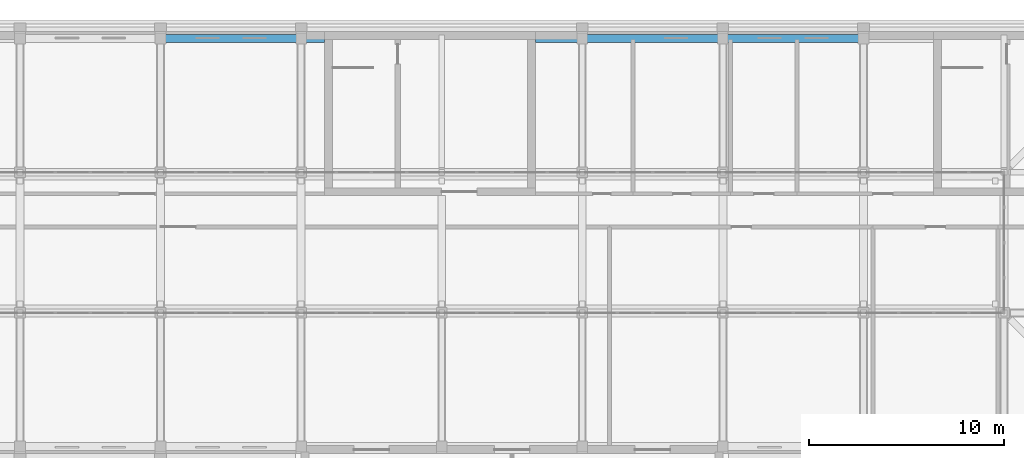
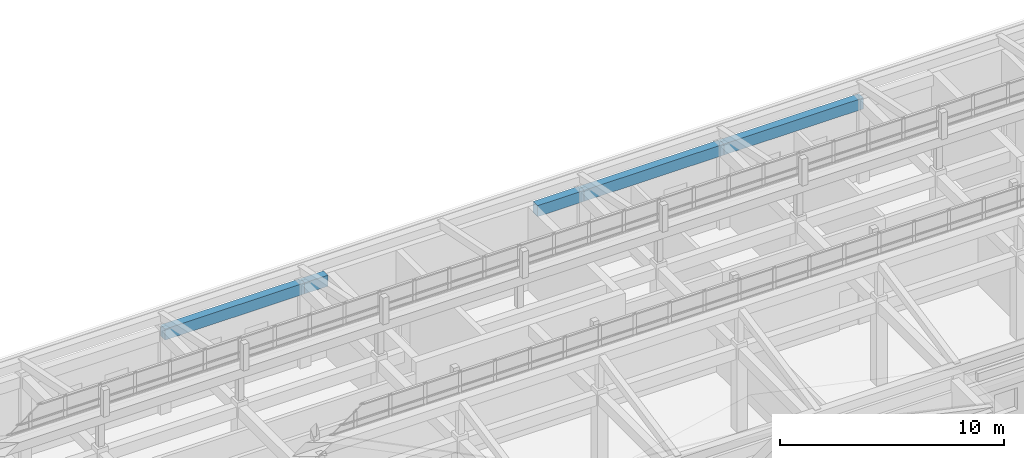
# One storey, part 21 of 48: 5 beams.
"""IFC4 building model written with IfcOpenShell, lengths in metres."""

from ifc_helpers import new_model, si_unit, direction, frame, origin, origin_2d, place, context, subcontext, project, spatial, rectangle, extrude, material, material_profile, profile_set, type_object, element, save


model = new_model("IFC4")

# Units and contexts
model_context = context("Model", 3, precision=1e-05, world=origin(), true_north=direction((0.0, 1.0)))
body_context = subcontext(model_context, "Body", "Model", "MODEL_VIEW")
ifc_project = project(units=[si_unit("LENGTHUNIT", "METRE"), si_unit("AREAUNIT", "SQUARE_METRE"), si_unit("VOLUMEUNIT", "CUBIC_METRE"), si_unit("PLANEANGLEUNIT", "RADIAN"), si_unit("MASSUNIT", "GRAM", prefix="KILO")], contexts=[model_context])

# Site, building, storey
site_placement = place(None, origin())
site = spatial("IfcSite", under=ifc_project, at=site_placement, CompositionType="ELEMENT")
building_placement = place(site_placement, origin())
building = spatial("IfcBuilding", under=site, at=building_placement, Name="Alderwick Market Hall", CompositionType="ELEMENT")
storey_placement = place(building_placement, frame((0.0, 0.0, 14.39990234375)))
storey = spatial("IfcBuildingStorey", under=building, at=storey_placement, Name="L02", CompositionType="ELEMENT", Elevation=14.39990234375)

# Beams
ifc_material = material(Name="Concrete 5000 psi (f'c 35 MPa)", Category="concrete")
ifc_material_profile = material_profile(ifc_material, rectangle(XDim=0.39990234375, YDim=0.60009765625, at=origin_2d()), Name="RC 400x600")
ifc_profile_set = profile_set([ifc_material_profile], Name="Concrete 5000 psi (f'c 35 MPa)")
beam_type = type_object("IfcBeamType", Name="F Floor Beam RC 400x600", PredefinedType="BEAM", material=ifc_profile_set)
beam_1_placement = place(storey_placement, frame((180.0, 150.85009765625, 4.25), z_axis=(1.0, 0.0, 0.0), x_axis=(0.0, 1.0, 0.0)))
element("IfcBeam", 1, at=beam_1_placement, inside=storey, type_object=beam_type, Name="F.beam.L02.031", PredefinedType="BEAM", context=body_context, shape_type="SweptSolid", body=[
    extrude(rectangle(XDim=0.39990234375, YDim=0.60009765625, at=origin_2d()), origin(), (0.0, 0.0, 1.0), 7.199951171875),
])
beam_2_placement = place(storey_placement, frame((187.199951171875, 150.85009765625, 4.25), z_axis=(1.0, 0.0, 0.0), x_axis=(0.0, 1.0, 0.0)))
element("IfcBeam", 2, at=beam_2_placement, inside=storey, type_object=beam_type, Name="F.beam.L02.032", PredefinedType="BEAM", context=body_context, shape_type="SweptSolid", body=[
    extrude(rectangle(XDim=0.39990234375, YDim=0.60009765625, at=origin_2d()), origin(), (0.0, 0.0, 1.0), 1.200927734375),
])
beam_3_placement = place(storey_placement, frame((199.198974609375, 150.85009765625, 4.25), z_axis=(1.0, 0.0, 0.0), x_axis=(0.0, 1.0, 0.0)))
element("IfcBeam", 3, at=beam_3_placement, inside=storey, type_object=beam_type, Name="F.beam.L02.033", PredefinedType="BEAM", context=body_context, shape_type="SweptSolid", body=[
    extrude(rectangle(XDim=0.39990234375, YDim=0.60009765625, at=origin_2d()), origin(), (0.0, 0.0, 1.0), 2.401123046875),
])
for number, where, z_axis, x_axis, name in (
    (4, (201.60009765625, 150.85009765625, 4.25), (1.0, 0.0, 0.0), (0.0, 1.0, 0.0), "F.beam.L02.034"),
    (5, (208.800048828125, 150.85009765625, 4.25), (1.0, 0.0, 0.0), (0.0, 1.0, 0.0), "F.beam.L02.035"),
):
    element("IfcBeam", number, at=place(storey_placement, frame(where, z_axis=z_axis, x_axis=x_axis)), inside=storey, type_object=beam_type, Name=name, PredefinedType="BEAM", context=body_context, shape_type="SweptSolid", body=[
        extrude(rectangle(XDim=0.39990234375, YDim=0.60009765625, at=origin_2d()), origin(), (0.0, 0.0, 1.0), 7.199951171875),
    ])

save(model, "model.ifc")
